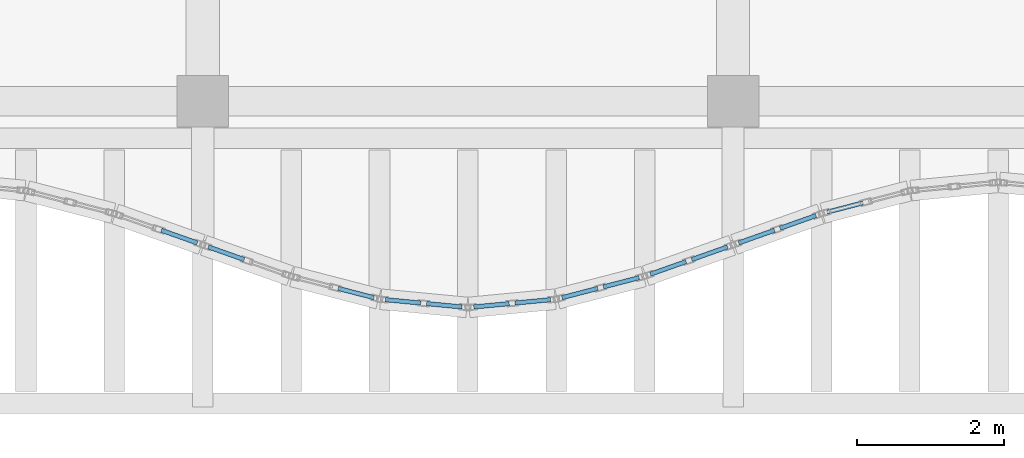
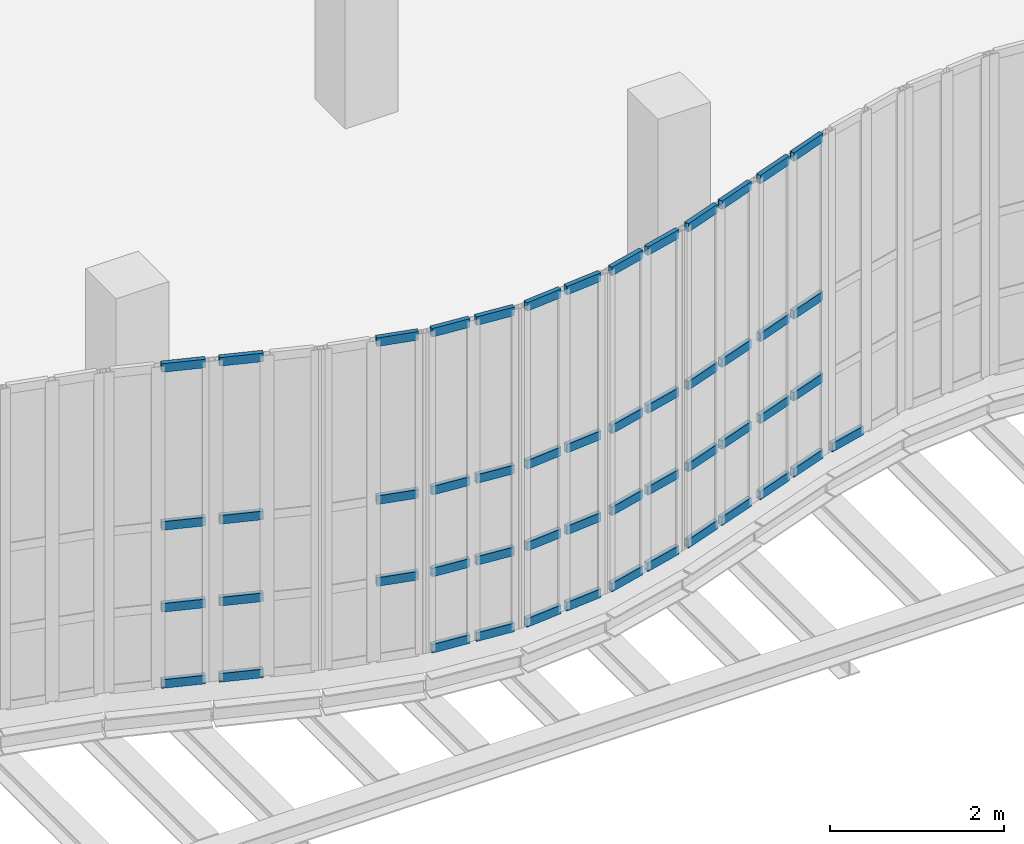
# One storey, part 48 of 108: 52 members, 9 elements without a shape of their own.
"""IFC4 building model written with IfcOpenShell, lengths in metres."""

from ifc_helpers import new_model, si_unit, direction, frame, origin, origin_2d, place, context, subcontext, project, spatial, hollow_rectangle, extrude, material, layer, layer_set, material_profile, profile_set, type_object, element, aggregate, save


model = new_model("IFC4")

# Units and contexts
model_context = context("Model", 3, precision=1e-05, world=origin(), true_north=direction((0.0, 1.0)))
body_context = subcontext(model_context, "Body", "Model", "MODEL_VIEW")
ifc_project = project(units=[si_unit("LENGTHUNIT", "METRE"), si_unit("AREAUNIT", "SQUARE_METRE"), si_unit("VOLUMEUNIT", "CUBIC_METRE"), si_unit("PLANEANGLEUNIT", "RADIAN"), si_unit("MASSUNIT", "GRAM", prefix="KILO"), si_unit("THERMODYNAMICTEMPERATUREUNIT", "KELVIN"), si_unit("POWERUNIT", "WATT")], contexts=[model_context])

# Site, building, storey
site_placement = place(None, origin())
site = spatial("IfcSite", under=ifc_project, at=site_placement, CompositionType="ELEMENT")
building_placement = place(site_placement, origin())
building = spatial("IfcBuilding", under=site, at=building_placement, Name="Kaldorven Railside Theatre", CompositionType="ELEMENT")
storey_placement = place(building_placement, frame((0.0, 0.0, 5.39990234375)))
storey = spatial("IfcBuildingStorey", under=building, at=storey_placement, Name="L01", CompositionType="ELEMENT", Elevation=5.39990234375)

# Curtain wall, members
ifc_material_1 = material(Name="Low-E laminated solar-control glass", Category="glass")
ifc_layer_1 = layer(ifc_material_1, 0.159912109375, Name="Low-E laminated solar-control glass")
ifc_layer_set_1 = layer_set([ifc_layer_1], Name="Low-E laminated solar-control glass")
curtain_wall_type_1 = type_object("IfcCurtainWallType", Name="CWT-01", PredefinedType="USERDEFINED", material=ifc_layer_set_1)
curtain_wall_1_placement = place(storey_placement, origin())
curtain_wall_1 = element("IfcCurtainWall", 1, at=curtain_wall_1_placement, inside=storey, type_object=curtain_wall_type_1, Name="Sinusoidal Fluted Curtain Wall CW-L01-S06", ObjectType="FLUTED GLAZING", PredefinedType="USERDEFINED")
ifc_material_2 = material(Name="Anodised bronze aluminium", Category="aluminium")
ifc_material_profile = material_profile(ifc_material_2, hollow_rectangle(XDim=0.06005859375, YDim=0.1201171875, WallThickness=0.0048828125, at=origin_2d()), Name="RHS 120x60x5")
ifc_profile_set = profile_set([ifc_material_profile], Name="Anodised bronze aluminium")
member_type = type_object("IfcMemberType", Name="CWT-120", PredefinedType="USERDEFINED", material=ifc_profile_set)
member_1_placement = place(storey_placement, frame((43.437744140625, 17.44921875, 0.030029296875), z_axis=(0.942509408488, -0.334179614745, 0.0), x_axis=(0.334179614745, 0.942509408488, 0.0)))
member_1 = element("IfcMember", 2, at=member_1_placement, type_object=member_type, Name="CW-L01-S06 transom 2.1", ObjectType="TRANSOM", PredefinedType="USERDEFINED", context=body_context, shape_type="SweptSolid", body=[
    extrude(hollow_rectangle(XDim=0.06005859375, YDim=0.1201171875, WallThickness=0.0048828125, at=origin_2d()), origin(), (0.0, 0.0, 1.0), 0.5166015625),
])
member_2_placement = place(storey_placement, frame((43.437744140625, 17.44921875, 1.10009765625), z_axis=(0.942509408488, -0.334179614745, 0.0), x_axis=(0.334179614745, 0.942509408488, 0.0)))
member_2 = element("IfcMember", 3, at=member_2_placement, type_object=member_type, Name="CW-L01-S06 transom 2.2", ObjectType="TRANSOM", PredefinedType="USERDEFINED", context=body_context, shape_type="SweptSolid", body=[
    extrude(hollow_rectangle(XDim=0.06005859375, YDim=0.1201171875, WallThickness=0.0048828125, at=origin_2d()), origin(), (0.0, 0.0, 1.0), 0.5166015625),
])
member_3_placement = place(storey_placement, frame((43.437744140625, 17.44921875, 2.25), z_axis=(0.942509408488, -0.334179614745, 0.0), x_axis=(0.334179614745, 0.942509408488, 0.0)))
member_3 = element("IfcMember", 4, at=member_3_placement, type_object=member_type, Name="CW-L01-S06 transom 2.3", ObjectType="TRANSOM", PredefinedType="USERDEFINED", context=body_context, shape_type="SweptSolid", body=[
    extrude(hollow_rectangle(XDim=0.06005859375, YDim=0.1201171875, WallThickness=0.0048828125, at=origin_2d()), origin(), (0.0, 0.0, 1.0), 0.5166015625),
])
member_4_placement = place(storey_placement, frame((43.437744140625, 17.44921875, 4.47021484375), z_axis=(0.942509408488, -0.334179614745, 0.0), x_axis=(0.334179614745, 0.942509408488, 0.0)))
member_4 = element("IfcMember", 5, at=member_4_placement, type_object=member_type, Name="CW-L01-S06 transom 2.4", ObjectType="TRANSOM", PredefinedType="USERDEFINED", context=body_context, shape_type="SweptSolid", body=[
    extrude(hollow_rectangle(XDim=0.06005859375, YDim=0.1201171875, WallThickness=0.0048828125, at=origin_2d()), origin(), (0.0, 0.0, 1.0), 0.5166015625),
])
aggregate(curtain_wall_1, [member_1, member_2, member_3, member_4])

curtain_wall_2_placement = place(storey_placement, origin())
curtain_wall_2 = element("IfcCurtainWall", 6, at=curtain_wall_2_placement, inside=storey, type_object=curtain_wall_type_1, Name="Sinusoidal Fluted Curtain Wall CW-L01-S07", ObjectType="FLUTED GLAZING", PredefinedType="USERDEFINED")
member_5_placement = place(storey_placement, frame((44.075439453125, 17.223388671875, 0.030029296875), z_axis=(0.942509408488, -0.334179614745, 0.0), x_axis=(0.334179614745, 0.942509408488, 0.0)))
member_5 = element("IfcMember", 7, at=member_5_placement, type_object=member_type, Name="CW-L01-S07 transom 1.1", ObjectType="TRANSOM", PredefinedType="USERDEFINED", context=body_context, shape_type="SweptSolid", body=[
    extrude(hollow_rectangle(XDim=0.06005859375, YDim=0.1201171875, WallThickness=0.0048828125, at=origin_2d()), origin(), (0.0, 0.0, 1.0), 0.5166015625),
])
member_6_placement = place(storey_placement, frame((44.075439453125, 17.223388671875, 1.10009765625), z_axis=(0.942509408488, -0.334179614745, 0.0), x_axis=(0.334179614745, 0.942509408488, 0.0)))
member_6 = element("IfcMember", 8, at=member_6_placement, type_object=member_type, Name="CW-L01-S07 transom 1.2", ObjectType="TRANSOM", PredefinedType="USERDEFINED", context=body_context, shape_type="SweptSolid", body=[
    extrude(hollow_rectangle(XDim=0.06005859375, YDim=0.1201171875, WallThickness=0.0048828125, at=origin_2d()), origin(), (0.0, 0.0, 1.0), 0.5166015625),
])
member_7_placement = place(storey_placement, frame((44.075439453125, 17.223388671875, 2.25), z_axis=(0.942509408488, -0.334179614745, 0.0), x_axis=(0.334179614745, 0.942509408488, 0.0)))
member_7 = element("IfcMember", 9, at=member_7_placement, type_object=member_type, Name="CW-L01-S07 transom 1.3", ObjectType="TRANSOM", PredefinedType="USERDEFINED", context=body_context, shape_type="SweptSolid", body=[
    extrude(hollow_rectangle(XDim=0.06005859375, YDim=0.1201171875, WallThickness=0.0048828125, at=origin_2d()), origin(), (0.0, 0.0, 1.0), 0.5166015625),
])
member_8_placement = place(storey_placement, frame((44.075439453125, 17.223388671875, 4.47021484375), z_axis=(0.942509408488, -0.334179614745, 0.0), x_axis=(0.334179614745, 0.942509408488, 0.0)))
member_8 = element("IfcMember", 10, at=member_8_placement, type_object=member_type, Name="CW-L01-S07 transom 1.4", ObjectType="TRANSOM", PredefinedType="USERDEFINED", context=body_context, shape_type="SweptSolid", body=[
    extrude(hollow_rectangle(XDim=0.06005859375, YDim=0.1201171875, WallThickness=0.0048828125, at=origin_2d()), origin(), (0.0, 0.0, 1.0), 0.5166015625),
])
aggregate(curtain_wall_2, [member_5, member_6, member_7, member_8])

ifc_layer_2 = layer(ifc_material_1, 0.159912109375, Name="Low-E laminated solar-control glass")
ifc_layer_set_2 = layer_set([ifc_layer_2], Name="Low-E laminated solar-control glass")
curtain_wall_type_2 = type_object("IfcCurtainWallType", Name="CWT-02", PredefinedType="USERDEFINED", material=ifc_layer_set_2)
curtain_wall_3_placement = place(storey_placement, origin())
curtain_wall_3 = element("IfcCurtainWall", 11, at=curtain_wall_3_placement, inside=storey, type_object=curtain_wall_type_2, Name="Sinusoidal Fluted Curtain Wall CW-L01-S08", ObjectType="FLUTED GLAZING", PredefinedType="USERDEFINED")
member_9_placement = place(storey_placement, frame((45.838623046875, 16.659423828125, 1.10009765625), z_axis=(0.967979318949, -0.251029954561, 0.0), x_axis=(0.251029954561, 0.967979318949, 0.0)))
member_9 = element("IfcMember", 12, at=member_9_placement, type_object=member_type, Name="CW-L01-S08 transom 2.2", ObjectType="TRANSOM", PredefinedType="USERDEFINED", context=body_context, shape_type="SweptSolid", body=[
    extrude(hollow_rectangle(XDim=0.06005859375, YDim=0.1201171875, WallThickness=0.0048828125, at=origin_2d()), origin(), (0.0, 0.0, 1.0), 0.5),
])
member_10_placement = place(storey_placement, frame((45.838623046875, 16.659423828125, 2.25), z_axis=(0.967979318949, -0.251029954561, 0.0), x_axis=(0.251029954561, 0.967979318949, 0.0)))
member_10 = element("IfcMember", 13, at=member_10_placement, type_object=member_type, Name="CW-L01-S08 transom 2.3", ObjectType="TRANSOM", PredefinedType="USERDEFINED", context=body_context, shape_type="SweptSolid", body=[
    extrude(hollow_rectangle(XDim=0.06005859375, YDim=0.1201171875, WallThickness=0.0048828125, at=origin_2d()), origin(), (0.0, 0.0, 1.0), 0.5),
])
member_11_placement = place(storey_placement, frame((45.838623046875, 16.659423828125, 4.47021484375), z_axis=(0.967979318949, -0.251029954561, 0.0), x_axis=(0.251029954561, 0.967979318949, 0.0)))
member_11 = element("IfcMember", 14, at=member_11_placement, type_object=member_type, Name="CW-L01-S08 transom 2.4", ObjectType="TRANSOM", PredefinedType="USERDEFINED", context=body_context, shape_type="SweptSolid", body=[
    extrude(hollow_rectangle(XDim=0.06005859375, YDim=0.1201171875, WallThickness=0.0048828125, at=origin_2d()), origin(), (0.0, 0.0, 1.0), 0.5),
])
aggregate(curtain_wall_3, [member_9, member_10, member_11])

ifc_layer_3 = layer(ifc_material_1, 0.159912109375, Name="Low-E laminated solar-control glass")
ifc_layer_set_3 = layer_set([ifc_layer_3], Name="Low-E laminated solar-control glass")
curtain_wall_type_3 = type_object("IfcCurtainWallType", Name="CWT-03", PredefinedType="USERDEFINED", material=ifc_layer_set_3)
curtain_wall_4_placement = place(storey_placement, origin())
curtain_wall_4 = element("IfcCurtainWall", 15, at=curtain_wall_4_placement, inside=storey, type_object=curtain_wall_type_3, Name="Sinusoidal Fluted Curtain Wall CW-L01-S09", ObjectType="FLUTED GLAZING", PredefinedType="USERDEFINED")
member_12_placement = place(storey_placement, frame((46.479736328125, 16.50634765625, 0.030029296875), z_axis=(0.995515910823, -0.094594245591, 0.0), x_axis=(0.094594245591, 0.995515910823, 0.0)))
member_12 = element("IfcMember", 16, at=member_12_placement, type_object=member_type, Name="CW-L01-S09 transom 1.1", ObjectType="TRANSOM", PredefinedType="USERDEFINED", context=body_context, shape_type="SweptSolid", body=[
    extrude(hollow_rectangle(XDim=0.06005859375, YDim=0.1201171875, WallThickness=0.0048828125, at=origin_2d()), origin(), (0.0, 0.0, 1.0), 0.482666015625),
])
member_13_placement = place(storey_placement, frame((46.479736328125, 16.50634765625, 1.10009765625), z_axis=(0.995515910823, -0.094594245591, 0.0), x_axis=(0.094594245591, 0.995515910823, 0.0)))
member_13 = element("IfcMember", 17, at=member_13_placement, type_object=member_type, Name="CW-L01-S09 transom 1.2", ObjectType="TRANSOM", PredefinedType="USERDEFINED", context=body_context, shape_type="SweptSolid", body=[
    extrude(hollow_rectangle(XDim=0.06005859375, YDim=0.1201171875, WallThickness=0.0048828125, at=origin_2d()), origin(), (0.0, 0.0, 1.0), 0.482666015625),
])
member_14_placement = place(storey_placement, frame((46.479736328125, 16.50634765625, 2.25), z_axis=(0.995515910823, -0.094594245591, 0.0), x_axis=(0.094594245591, 0.995515910823, 0.0)))
member_14 = element("IfcMember", 18, at=member_14_placement, type_object=member_type, Name="CW-L01-S09 transom 1.3", ObjectType="TRANSOM", PredefinedType="USERDEFINED", context=body_context, shape_type="SweptSolid", body=[
    extrude(hollow_rectangle(XDim=0.06005859375, YDim=0.1201171875, WallThickness=0.0048828125, at=origin_2d()), origin(), (0.0, 0.0, 1.0), 0.482666015625),
])
member_15_placement = place(storey_placement, frame((46.479736328125, 16.50634765625, 4.47021484375), z_axis=(0.995515910823, -0.094594245591, 0.0), x_axis=(0.094594245591, 0.995515910823, 0.0)))
member_15 = element("IfcMember", 19, at=member_15_placement, type_object=member_type, Name="CW-L01-S09 transom 1.4", ObjectType="TRANSOM", PredefinedType="USERDEFINED", context=body_context, shape_type="SweptSolid", body=[
    extrude(hollow_rectangle(XDim=0.06005859375, YDim=0.1201171875, WallThickness=0.0048828125, at=origin_2d()), origin(), (0.0, 0.0, 1.0), 0.482666015625),
])
member_16_placement = place(storey_placement, frame((47.039794921875, 16.453125, 0.030029296875), z_axis=(0.995515910823, -0.094594245591, 0.0), x_axis=(0.094594245591, 0.995515910823, 0.0)))
member_16 = element("IfcMember", 20, at=member_16_placement, type_object=member_type, Name="CW-L01-S09 transom 2.1", ObjectType="TRANSOM", PredefinedType="USERDEFINED", context=body_context, shape_type="SweptSolid", body=[
    extrude(hollow_rectangle(XDim=0.06005859375, YDim=0.1201171875, WallThickness=0.0048828125, at=origin_2d()), origin(), (0.0, 0.0, 1.0), 0.482666015625),
])
member_17_placement = place(storey_placement, frame((47.039794921875, 16.453125, 1.10009765625), z_axis=(0.995515910823, -0.094594245591, 0.0), x_axis=(0.094594245591, 0.995515910823, 0.0)))
member_17 = element("IfcMember", 21, at=member_17_placement, type_object=member_type, Name="CW-L01-S09 transom 2.2", ObjectType="TRANSOM", PredefinedType="USERDEFINED", context=body_context, shape_type="SweptSolid", body=[
    extrude(hollow_rectangle(XDim=0.06005859375, YDim=0.1201171875, WallThickness=0.0048828125, at=origin_2d()), origin(), (0.0, 0.0, 1.0), 0.482666015625),
])
member_18_placement = place(storey_placement, frame((47.039794921875, 16.453125, 2.25), z_axis=(0.995515910823, -0.094594245591, 0.0), x_axis=(0.094594245591, 0.995515910823, 0.0)))
member_18 = element("IfcMember", 22, at=member_18_placement, type_object=member_type, Name="CW-L01-S09 transom 2.3", ObjectType="TRANSOM", PredefinedType="USERDEFINED", context=body_context, shape_type="SweptSolid", body=[
    extrude(hollow_rectangle(XDim=0.06005859375, YDim=0.1201171875, WallThickness=0.0048828125, at=origin_2d()), origin(), (0.0, 0.0, 1.0), 0.482666015625),
])
member_19_placement = place(storey_placement, frame((47.039794921875, 16.453125, 4.47021484375), z_axis=(0.995515910823, -0.094594245591, 0.0), x_axis=(0.094594245591, 0.995515910823, 0.0)))
member_19 = element("IfcMember", 23, at=member_19_placement, type_object=member_type, Name="CW-L01-S09 transom 2.4", ObjectType="TRANSOM", PredefinedType="USERDEFINED", context=body_context, shape_type="SweptSolid", body=[
    extrude(hollow_rectangle(XDim=0.06005859375, YDim=0.1201171875, WallThickness=0.0048828125, at=origin_2d()), origin(), (0.0, 0.0, 1.0), 0.482666015625),
])
aggregate(curtain_wall_4, [member_12, member_13, member_14, member_15, member_16, member_17, member_18, member_19])

curtain_wall_5_placement = place(storey_placement, origin())
curtain_wall_5 = element("IfcCurtainWall", 24, at=curtain_wall_5_placement, inside=storey, type_object=curtain_wall_type_3, Name="Sinusoidal Fluted Curtain Wall CW-L01-S10", ObjectType="FLUTED GLAZING", PredefinedType="USERDEFINED")
member_20_placement = place(storey_placement, frame((47.6796875, 16.407470703125, 0.030029296875), z_axis=(0.995515910823, 0.094594245591, 0.0), x_axis=(-0.094594245591, 0.995515910823, 0.0)))
member_20 = element("IfcMember", 25, at=member_20_placement, type_object=member_type, Name="CW-L01-S10 transom 1.1", ObjectType="TRANSOM", PredefinedType="USERDEFINED", context=body_context, shape_type="SweptSolid", body=[
    extrude(hollow_rectangle(XDim=0.06005859375, YDim=0.1201171875, WallThickness=0.0048828125, at=origin_2d()), origin(), (0.0, 0.0, 1.0), 0.482666015625),
])
member_21_placement = place(storey_placement, frame((47.6796875, 16.407470703125, 1.10009765625), z_axis=(0.995515910823, 0.094594245591, 0.0), x_axis=(-0.094594245591, 0.995515910823, 0.0)))
member_21 = element("IfcMember", 26, at=member_21_placement, type_object=member_type, Name="CW-L01-S10 transom 1.2", ObjectType="TRANSOM", PredefinedType="USERDEFINED", context=body_context, shape_type="SweptSolid", body=[
    extrude(hollow_rectangle(XDim=0.06005859375, YDim=0.1201171875, WallThickness=0.0048828125, at=origin_2d()), origin(), (0.0, 0.0, 1.0), 0.482666015625),
])
member_22_placement = place(storey_placement, frame((47.6796875, 16.407470703125, 2.25), z_axis=(0.995515910823, 0.094594245591, 0.0), x_axis=(-0.094594245591, 0.995515910823, 0.0)))
member_22 = element("IfcMember", 27, at=member_22_placement, type_object=member_type, Name="CW-L01-S10 transom 1.3", ObjectType="TRANSOM", PredefinedType="USERDEFINED", context=body_context, shape_type="SweptSolid", body=[
    extrude(hollow_rectangle(XDim=0.06005859375, YDim=0.1201171875, WallThickness=0.0048828125, at=origin_2d()), origin(), (0.0, 0.0, 1.0), 0.482666015625),
])
member_23_placement = place(storey_placement, frame((47.6796875, 16.407470703125, 4.47021484375), z_axis=(0.995515910823, 0.094594245591, 0.0), x_axis=(-0.094594245591, 0.995515910823, 0.0)))
member_23 = element("IfcMember", 28, at=member_23_placement, type_object=member_type, Name="CW-L01-S10 transom 1.4", ObjectType="TRANSOM", PredefinedType="USERDEFINED", context=body_context, shape_type="SweptSolid", body=[
    extrude(hollow_rectangle(XDim=0.06005859375, YDim=0.1201171875, WallThickness=0.0048828125, at=origin_2d()), origin(), (0.0, 0.0, 1.0), 0.482666015625),
])
member_24_placement = place(storey_placement, frame((48.23974609375, 16.460693359375, 0.030029296875), z_axis=(0.995520433802, 0.094546633378, 0.0), x_axis=(-0.094546633378, 0.995520433802, 0.0)))
member_24 = element("IfcMember", 29, at=member_24_placement, type_object=member_type, Name="CW-L01-S10 transom 2.1", ObjectType="TRANSOM", PredefinedType="USERDEFINED", context=body_context, shape_type="SweptSolid", body=[
    extrude(hollow_rectangle(XDim=0.06005859375, YDim=0.1201171875, WallThickness=0.0048828125, at=origin_2d()), origin(), (0.0, 0.0, 1.0), 0.48291015625),
])
member_25_placement = place(storey_placement, frame((48.23974609375, 16.460693359375, 1.10009765625), z_axis=(0.995520433802, 0.094546633378, 0.0), x_axis=(-0.094546633378, 0.995520433802, 0.0)))
member_25 = element("IfcMember", 30, at=member_25_placement, type_object=member_type, Name="CW-L01-S10 transom 2.2", ObjectType="TRANSOM", PredefinedType="USERDEFINED", context=body_context, shape_type="SweptSolid", body=[
    extrude(hollow_rectangle(XDim=0.06005859375, YDim=0.1201171875, WallThickness=0.0048828125, at=origin_2d()), origin(), (0.0, 0.0, 1.0), 0.48291015625),
])
member_26_placement = place(storey_placement, frame((48.23974609375, 16.460693359375, 2.25), z_axis=(0.995520433802, 0.094546633378, 0.0), x_axis=(-0.094546633378, 0.995520433802, 0.0)))
member_26 = element("IfcMember", 31, at=member_26_placement, type_object=member_type, Name="CW-L01-S10 transom 2.3", ObjectType="TRANSOM", PredefinedType="USERDEFINED", context=body_context, shape_type="SweptSolid", body=[
    extrude(hollow_rectangle(XDim=0.06005859375, YDim=0.1201171875, WallThickness=0.0048828125, at=origin_2d()), origin(), (0.0, 0.0, 1.0), 0.48291015625),
])
member_27_placement = place(storey_placement, frame((48.23974609375, 16.460693359375, 4.47021484375), z_axis=(0.995520433802, 0.094546633378, 0.0), x_axis=(-0.094546633378, 0.995520433802, 0.0)))
member_27 = element("IfcMember", 32, at=member_27_placement, type_object=member_type, Name="CW-L01-S10 transom 2.4", ObjectType="TRANSOM", PredefinedType="USERDEFINED", context=body_context, shape_type="SweptSolid", body=[
    extrude(hollow_rectangle(XDim=0.06005859375, YDim=0.1201171875, WallThickness=0.0048828125, at=origin_2d()), origin(), (0.0, 0.0, 1.0), 0.48291015625),
])
aggregate(curtain_wall_5, [member_20, member_21, member_22, member_23, member_24, member_25, member_26, member_27])

curtain_wall_6_placement = place(storey_placement, origin())
curtain_wall_6 = element("IfcCurtainWall", 33, at=curtain_wall_6_placement, inside=storey, type_object=curtain_wall_type_2, Name="Sinusoidal Fluted Curtain Wall CW-L01-S11", ObjectType="FLUTED GLAZING", PredefinedType="USERDEFINED")
member_28_placement = place(storey_placement, frame((48.87744140625, 16.533935546875, 0.030029296875), z_axis=(0.967979318949, 0.251029954561, 0.0), x_axis=(-0.251029954561, 0.967979318949, 0.0)))
member_28 = element("IfcMember", 34, at=member_28_placement, type_object=member_type, Name="CW-L01-S11 transom 1.1", ObjectType="TRANSOM", PredefinedType="USERDEFINED", context=body_context, shape_type="SweptSolid", body=[
    extrude(hollow_rectangle(XDim=0.06005859375, YDim=0.1201171875, WallThickness=0.0048828125, at=origin_2d()), origin(), (0.0, 0.0, 1.0), 0.5),
])
member_29_placement = place(storey_placement, frame((48.87744140625, 16.533935546875, 1.10009765625), z_axis=(0.967979318949, 0.251029954561, 0.0), x_axis=(-0.251029954561, 0.967979318949, 0.0)))
member_29 = element("IfcMember", 35, at=member_29_placement, type_object=member_type, Name="CW-L01-S11 transom 1.2", ObjectType="TRANSOM", PredefinedType="USERDEFINED", context=body_context, shape_type="SweptSolid", body=[
    extrude(hollow_rectangle(XDim=0.06005859375, YDim=0.1201171875, WallThickness=0.0048828125, at=origin_2d()), origin(), (0.0, 0.0, 1.0), 0.5),
])
member_30_placement = place(storey_placement, frame((48.87744140625, 16.533935546875, 2.25), z_axis=(0.967979318949, 0.251029954561, 0.0), x_axis=(-0.251029954561, 0.967979318949, 0.0)))
member_30 = element("IfcMember", 36, at=member_30_placement, type_object=member_type, Name="CW-L01-S11 transom 1.3", ObjectType="TRANSOM", PredefinedType="USERDEFINED", context=body_context, shape_type="SweptSolid", body=[
    extrude(hollow_rectangle(XDim=0.06005859375, YDim=0.1201171875, WallThickness=0.0048828125, at=origin_2d()), origin(), (0.0, 0.0, 1.0), 0.5),
])
member_31_placement = place(storey_placement, frame((48.87744140625, 16.533935546875, 4.47021484375), z_axis=(0.967979318949, 0.251029954561, 0.0), x_axis=(-0.251029954561, 0.967979318949, 0.0)))
member_31 = element("IfcMember", 37, at=member_31_placement, type_object=member_type, Name="CW-L01-S11 transom 1.4", ObjectType="TRANSOM", PredefinedType="USERDEFINED", context=body_context, shape_type="SweptSolid", body=[
    extrude(hollow_rectangle(XDim=0.06005859375, YDim=0.1201171875, WallThickness=0.0048828125, at=origin_2d()), origin(), (0.0, 0.0, 1.0), 0.5),
])
member_32_placement = place(storey_placement, frame((49.438720703125, 16.679443359375, 0.030029296875), z_axis=(0.967979318949, 0.251029954561, 0.0), x_axis=(-0.251029954561, 0.967979318949, 0.0)))
member_32 = element("IfcMember", 38, at=member_32_placement, type_object=member_type, Name="CW-L01-S11 transom 2.1", ObjectType="TRANSOM", PredefinedType="USERDEFINED", context=body_context, shape_type="SweptSolid", body=[
    extrude(hollow_rectangle(XDim=0.06005859375, YDim=0.1201171875, WallThickness=0.0048828125, at=origin_2d()), origin(), (0.0, 0.0, 1.0), 0.5),
])
member_33_placement = place(storey_placement, frame((49.438720703125, 16.679443359375, 1.10009765625), z_axis=(0.967979318949, 0.251029954561, 0.0), x_axis=(-0.251029954561, 0.967979318949, 0.0)))
member_33 = element("IfcMember", 39, at=member_33_placement, type_object=member_type, Name="CW-L01-S11 transom 2.2", ObjectType="TRANSOM", PredefinedType="USERDEFINED", context=body_context, shape_type="SweptSolid", body=[
    extrude(hollow_rectangle(XDim=0.06005859375, YDim=0.1201171875, WallThickness=0.0048828125, at=origin_2d()), origin(), (0.0, 0.0, 1.0), 0.5),
])
member_34_placement = place(storey_placement, frame((49.438720703125, 16.679443359375, 2.25), z_axis=(0.967979318949, 0.251029954561, 0.0), x_axis=(-0.251029954561, 0.967979318949, 0.0)))
member_34 = element("IfcMember", 40, at=member_34_placement, type_object=member_type, Name="CW-L01-S11 transom 2.3", ObjectType="TRANSOM", PredefinedType="USERDEFINED", context=body_context, shape_type="SweptSolid", body=[
    extrude(hollow_rectangle(XDim=0.06005859375, YDim=0.1201171875, WallThickness=0.0048828125, at=origin_2d()), origin(), (0.0, 0.0, 1.0), 0.5),
])
member_35_placement = place(storey_placement, frame((49.438720703125, 16.679443359375, 4.47021484375), z_axis=(0.967979318949, 0.251029954561, 0.0), x_axis=(-0.251029954561, 0.967979318949, 0.0)))
member_35 = element("IfcMember", 41, at=member_35_placement, type_object=member_type, Name="CW-L01-S11 transom 2.4", ObjectType="TRANSOM", PredefinedType="USERDEFINED", context=body_context, shape_type="SweptSolid", body=[
    extrude(hollow_rectangle(XDim=0.06005859375, YDim=0.1201171875, WallThickness=0.0048828125, at=origin_2d()), origin(), (0.0, 0.0, 1.0), 0.5),
])
aggregate(curtain_wall_6, [member_28, member_29, member_30, member_31, member_32, member_33, member_34, member_35])

curtain_wall_7_placement = place(storey_placement, origin())
curtain_wall_7 = element("IfcCurtainWall", 42, at=curtain_wall_7_placement, inside=storey, type_object=curtain_wall_type_1, Name="Sinusoidal Fluted Curtain Wall CW-L01-S12", ObjectType="FLUTED GLAZING", PredefinedType="USERDEFINED")
member_36_placement = place(storey_placement, frame((50.075439453125, 16.851806640625, 0.030029296875), z_axis=(0.942658214948, 0.333759628763, 0.0), x_axis=(-0.333759628763, 0.942658214948, 0.0)))
member_36 = element("IfcMember", 43, at=member_36_placement, type_object=member_type, Name="CW-L01-S12 transom 1.1", ObjectType="TRANSOM", PredefinedType="USERDEFINED", context=body_context, shape_type="SweptSolid", body=[
    extrude(hollow_rectangle(XDim=0.06005859375, YDim=0.1201171875, WallThickness=0.0048828125, at=origin_2d()), origin(), (0.0, 0.0, 1.0), 0.516357421875),
])
member_37_placement = place(storey_placement, frame((50.075439453125, 16.851806640625, 1.10009765625), z_axis=(0.942658214948, 0.333759628763, 0.0), x_axis=(-0.333759628763, 0.942658214948, 0.0)))
member_37 = element("IfcMember", 44, at=member_37_placement, type_object=member_type, Name="CW-L01-S12 transom 1.2", ObjectType="TRANSOM", PredefinedType="USERDEFINED", context=body_context, shape_type="SweptSolid", body=[
    extrude(hollow_rectangle(XDim=0.06005859375, YDim=0.1201171875, WallThickness=0.0048828125, at=origin_2d()), origin(), (0.0, 0.0, 1.0), 0.516357421875),
])
member_38_placement = place(storey_placement, frame((50.075439453125, 16.851806640625, 2.25), z_axis=(0.942658214948, 0.333759628763, 0.0), x_axis=(-0.333759628763, 0.942658214948, 0.0)))
member_38 = element("IfcMember", 45, at=member_38_placement, type_object=member_type, Name="CW-L01-S12 transom 1.3", ObjectType="TRANSOM", PredefinedType="USERDEFINED", context=body_context, shape_type="SweptSolid", body=[
    extrude(hollow_rectangle(XDim=0.06005859375, YDim=0.1201171875, WallThickness=0.0048828125, at=origin_2d()), origin(), (0.0, 0.0, 1.0), 0.516357421875),
])
member_39_placement = place(storey_placement, frame((50.075439453125, 16.851806640625, 4.47021484375), z_axis=(0.942658214948, 0.333759628763, 0.0), x_axis=(-0.333759628763, 0.942658214948, 0.0)))
member_39 = element("IfcMember", 46, at=member_39_placement, type_object=member_type, Name="CW-L01-S12 transom 1.4", ObjectType="TRANSOM", PredefinedType="USERDEFINED", context=body_context, shape_type="SweptSolid", body=[
    extrude(hollow_rectangle(XDim=0.06005859375, YDim=0.1201171875, WallThickness=0.0048828125, at=origin_2d()), origin(), (0.0, 0.0, 1.0), 0.516357421875),
])
member_40_placement = place(storey_placement, frame((50.6376953125, 17.05078125, 0.030029296875), z_axis=(0.942509408488, 0.334179614745, 0.0), x_axis=(-0.334179614745, 0.942509408488, 0.0)))
member_40 = element("IfcMember", 47, at=member_40_placement, type_object=member_type, Name="CW-L01-S12 transom 2.1", ObjectType="TRANSOM", PredefinedType="USERDEFINED", context=body_context, shape_type="SweptSolid", body=[
    extrude(hollow_rectangle(XDim=0.06005859375, YDim=0.1201171875, WallThickness=0.0048828125, at=origin_2d()), origin(), (0.0, 0.0, 1.0), 0.5166015625),
])
member_41_placement = place(storey_placement, frame((50.6376953125, 17.05078125, 1.10009765625), z_axis=(0.942509408488, 0.334179614745, 0.0), x_axis=(-0.334179614745, 0.942509408488, 0.0)))
member_41 = element("IfcMember", 48, at=member_41_placement, type_object=member_type, Name="CW-L01-S12 transom 2.2", ObjectType="TRANSOM", PredefinedType="USERDEFINED", context=body_context, shape_type="SweptSolid", body=[
    extrude(hollow_rectangle(XDim=0.06005859375, YDim=0.1201171875, WallThickness=0.0048828125, at=origin_2d()), origin(), (0.0, 0.0, 1.0), 0.5166015625),
])
member_42_placement = place(storey_placement, frame((50.6376953125, 17.05078125, 2.25), z_axis=(0.942509408488, 0.334179614745, 0.0), x_axis=(-0.334179614745, 0.942509408488, 0.0)))
member_42 = element("IfcMember", 49, at=member_42_placement, type_object=member_type, Name="CW-L01-S12 transom 2.3", ObjectType="TRANSOM", PredefinedType="USERDEFINED", context=body_context, shape_type="SweptSolid", body=[
    extrude(hollow_rectangle(XDim=0.06005859375, YDim=0.1201171875, WallThickness=0.0048828125, at=origin_2d()), origin(), (0.0, 0.0, 1.0), 0.5166015625),
])
member_43_placement = place(storey_placement, frame((50.6376953125, 17.05078125, 4.47021484375), z_axis=(0.942509408488, 0.334179614745, 0.0), x_axis=(-0.334179614745, 0.942509408488, 0.0)))
member_43 = element("IfcMember", 50, at=member_43_placement, type_object=member_type, Name="CW-L01-S12 transom 2.4", ObjectType="TRANSOM", PredefinedType="USERDEFINED", context=body_context, shape_type="SweptSolid", body=[
    extrude(hollow_rectangle(XDim=0.06005859375, YDim=0.1201171875, WallThickness=0.0048828125, at=origin_2d()), origin(), (0.0, 0.0, 1.0), 0.5166015625),
])
aggregate(curtain_wall_7, [member_36, member_37, member_38, member_39, member_40, member_41, member_42, member_43])

curtain_wall_8_placement = place(storey_placement, origin())
curtain_wall_8 = element("IfcCurtainWall", 51, at=curtain_wall_8_placement, inside=storey, type_object=curtain_wall_type_1, Name="Sinusoidal Fluted Curtain Wall CW-L01-S13", ObjectType="FLUTED GLAZING", PredefinedType="USERDEFINED")
member_44_placement = place(storey_placement, frame((51.275390625, 17.276611328125, 0.030029296875), z_axis=(0.942509408488, 0.334179614745, 0.0), x_axis=(-0.334179614745, 0.942509408488, 0.0)))
member_44 = element("IfcMember", 52, at=member_44_placement, type_object=member_type, Name="CW-L01-S13 transom 1.1", ObjectType="TRANSOM", PredefinedType="USERDEFINED", context=body_context, shape_type="SweptSolid", body=[
    extrude(hollow_rectangle(XDim=0.06005859375, YDim=0.1201171875, WallThickness=0.0048828125, at=origin_2d()), origin(), (0.0, 0.0, 1.0), 0.5166015625),
])
member_45_placement = place(storey_placement, frame((51.275390625, 17.276611328125, 1.10009765625), z_axis=(0.942509408488, 0.334179614745, 0.0), x_axis=(-0.334179614745, 0.942509408488, 0.0)))
member_45 = element("IfcMember", 53, at=member_45_placement, type_object=member_type, Name="CW-L01-S13 transom 1.2", ObjectType="TRANSOM", PredefinedType="USERDEFINED", context=body_context, shape_type="SweptSolid", body=[
    extrude(hollow_rectangle(XDim=0.06005859375, YDim=0.1201171875, WallThickness=0.0048828125, at=origin_2d()), origin(), (0.0, 0.0, 1.0), 0.5166015625),
])
member_46_placement = place(storey_placement, frame((51.275390625, 17.276611328125, 2.25), z_axis=(0.942509408488, 0.334179614745, 0.0), x_axis=(-0.334179614745, 0.942509408488, 0.0)))
member_46 = element("IfcMember", 54, at=member_46_placement, type_object=member_type, Name="CW-L01-S13 transom 1.3", ObjectType="TRANSOM", PredefinedType="USERDEFINED", context=body_context, shape_type="SweptSolid", body=[
    extrude(hollow_rectangle(XDim=0.06005859375, YDim=0.1201171875, WallThickness=0.0048828125, at=origin_2d()), origin(), (0.0, 0.0, 1.0), 0.5166015625),
])
member_47_placement = place(storey_placement, frame((51.275390625, 17.276611328125, 4.47021484375), z_axis=(0.942509408488, 0.334179614745, 0.0), x_axis=(-0.334179614745, 0.942509408488, 0.0)))
member_47 = element("IfcMember", 55, at=member_47_placement, type_object=member_type, Name="CW-L01-S13 transom 1.4", ObjectType="TRANSOM", PredefinedType="USERDEFINED", context=body_context, shape_type="SweptSolid", body=[
    extrude(hollow_rectangle(XDim=0.06005859375, YDim=0.1201171875, WallThickness=0.0048828125, at=origin_2d()), origin(), (0.0, 0.0, 1.0), 0.5166015625),
])
member_48_placement = place(storey_placement, frame((51.837646484375, 17.475830078125, 0.030029296875), z_axis=(0.942710841688, 0.333610954502, 0.0), x_axis=(-0.333610954502, 0.942710841688, 0.0)))
member_48 = element("IfcMember", 56, at=member_48_placement, type_object=member_type, Name="CW-L01-S13 transom 2.1", ObjectType="TRANSOM", PredefinedType="USERDEFINED", context=body_context, shape_type="SweptSolid", body=[
    extrude(hollow_rectangle(XDim=0.06005859375, YDim=0.1201171875, WallThickness=0.0048828125, at=origin_2d()), origin(), (0.0, 0.0, 1.0), 0.5166015625),
])
member_49_placement = place(storey_placement, frame((51.837646484375, 17.475830078125, 1.10009765625), z_axis=(0.942710841688, 0.333610954502, 0.0), x_axis=(-0.333610954502, 0.942710841688, 0.0)))
member_49 = element("IfcMember", 57, at=member_49_placement, type_object=member_type, Name="CW-L01-S13 transom 2.2", ObjectType="TRANSOM", PredefinedType="USERDEFINED", context=body_context, shape_type="SweptSolid", body=[
    extrude(hollow_rectangle(XDim=0.06005859375, YDim=0.1201171875, WallThickness=0.0048828125, at=origin_2d()), origin(), (0.0, 0.0, 1.0), 0.5166015625),
])
member_50_placement = place(storey_placement, frame((51.837646484375, 17.475830078125, 2.25), z_axis=(0.942710841688, 0.333610954502, 0.0), x_axis=(-0.333610954502, 0.942710841688, 0.0)))
member_50 = element("IfcMember", 58, at=member_50_placement, type_object=member_type, Name="CW-L01-S13 transom 2.3", ObjectType="TRANSOM", PredefinedType="USERDEFINED", context=body_context, shape_type="SweptSolid", body=[
    extrude(hollow_rectangle(XDim=0.06005859375, YDim=0.1201171875, WallThickness=0.0048828125, at=origin_2d()), origin(), (0.0, 0.0, 1.0), 0.5166015625),
])
member_51_placement = place(storey_placement, frame((51.837646484375, 17.475830078125, 4.47021484375), z_axis=(0.942710841688, 0.333610954502, 0.0), x_axis=(-0.333610954502, 0.942710841688, 0.0)))
member_51 = element("IfcMember", 59, at=member_51_placement, type_object=member_type, Name="CW-L01-S13 transom 2.4", ObjectType="TRANSOM", PredefinedType="USERDEFINED", context=body_context, shape_type="SweptSolid", body=[
    extrude(hollow_rectangle(XDim=0.06005859375, YDim=0.1201171875, WallThickness=0.0048828125, at=origin_2d()), origin(), (0.0, 0.0, 1.0), 0.5166015625),
])
aggregate(curtain_wall_8, [member_44, member_45, member_46, member_47, member_48, member_49, member_50, member_51])

# Curtain wall, member
curtain_wall_9_placement = place(storey_placement, origin())
curtain_wall_9 = element("IfcCurtainWall", 60, at=curtain_wall_9_placement, inside=storey, type_object=curtain_wall_type_2, Name="Sinusoidal Fluted Curtain Wall CW-L01-S14", ObjectType="FLUTED GLAZING", PredefinedType="USERDEFINED")
member_52_placement = place(storey_placement, frame((52.4775390625, 17.695068359375, 0.030029296875), z_axis=(0.967948521016, 0.251148682384, 0.0), x_axis=(-0.251148682384, 0.967948521016, 0.0)))
member_52 = element("IfcMember", 61, at=member_52_placement, type_object=member_type, Name="CW-L01-S14 transom 1.1", ObjectType="TRANSOM", PredefinedType="USERDEFINED", context=body_context, shape_type="SweptSolid", body=[
    extrude(hollow_rectangle(XDim=0.06005859375, YDim=0.1201171875, WallThickness=0.0048828125, at=origin_2d()), origin(), (0.0, 0.0, 1.0), 0.499755859375),
])
aggregate(curtain_wall_9, [member_52])

save(model, "model.ifc")
